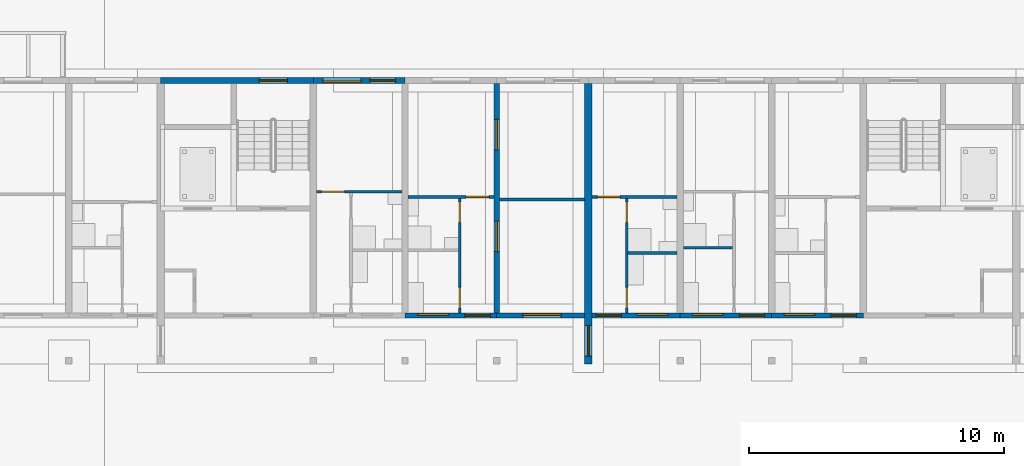
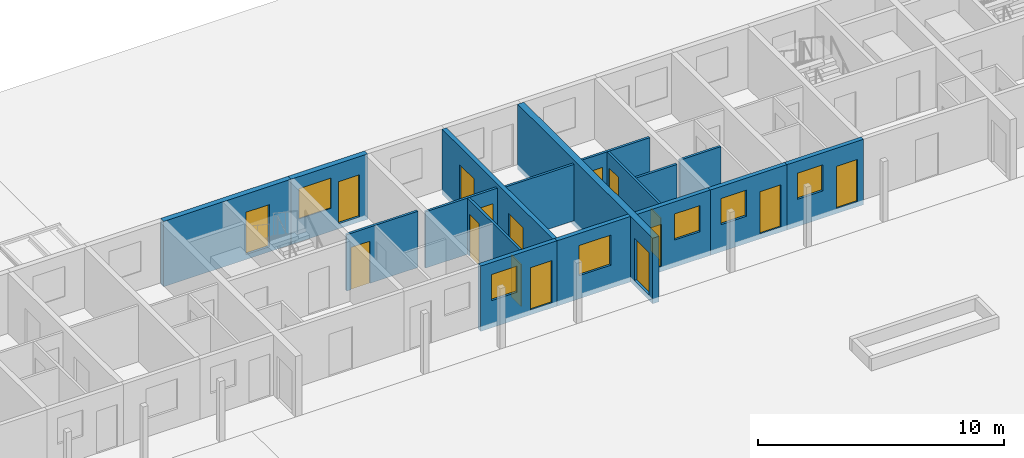
# One storey, part 68 of 112: 17 walls, 16 doors, 6 windows, 22 openings.
"""IFC4 building model written with IfcOpenShell, lengths in metres."""

import ifcopenshell
import ifcopenshell.guid

model = None  # the IFC model being written
_history = None  # IfcOwnerHistory: only IFC2X3 demands one
_inside = {}  # id of a spatial element -> (the spatial element, [elements in it])
_under = {}  # id of a project, library or spatial element -> (it, [spatial elements below it])
_declared = {}  # id of a project -> (the project, [libraries it declares])
_typed = {}  # id of a type object -> (the type object, [elements of that type])
_made_of = {}  # id of a material, layer set ... -> (it, [elements and type objects made of it])


def new_model(schema):
    """Start an empty IFC model of exactly this schema.

    Asked for "IFC4X3", IfcOpenShell would pick the latest addendum, in which some entities
    have other attributes; the version numbers below select the first issue.
    IFC2X3 requires an IfcOwnerHistory on every rooted entity: one is made here for all.
    """
    global model, _history
    if schema == "IFC4X3":
        model = ifcopenshell.file(schema_version=(4, 3, 0, 0))
    else:
        model = ifcopenshell.file(schema=schema)
    _inside.clear()
    _under.clear()
    _declared.clear()
    _typed.clear()
    _made_of.clear()
    _history = None
    if model.schema == "IFC2X3":
        org = make("IfcOrganization", Name="unknown")
        user = make(
            "IfcPersonAndOrganization",
            ThePerson=make("IfcPerson", FamilyName="unknown"),
            TheOrganization=org,
        )
        app = make(
            "IfcApplication",
            ApplicationDeveloper=org,
            Version="unknown",
            ApplicationFullName="unknown",
            ApplicationIdentifier="unknown",
        )
        _history = make(
            "IfcOwnerHistory",
            OwningUser=user,
            OwningApplication=app,
            ChangeAction="ADDED",
            CreationDate=0,
        )
    return model


def make(cls, **values):
    """One entity of the class cls with the attributes given. An attribute that is None is left unset."""
    return model.create_entity(
        cls, **{name: value for name, value in values.items() if value is not None}
    )


def rooted(cls, **values):
    """An entity with a GlobalId (a new one), such as an element, a storey or a relation."""
    return make(cls, GlobalId=ifcopenshell.guid.new(), OwnerHistory=_history, **values)


def si_unit(unit_type, name, prefix=None):
    """IfcSIUnit, for example si_unit("LENGTHUNIT", "METRE", prefix="MILLI")."""
    return make("IfcSIUnit", UnitType=unit_type, Prefix=prefix, Name=name)


def assignment(units):
    """IfcUnitAssignment: the units of a project."""
    return None if units is None else make("IfcUnitAssignment", Units=units)


def point(xyz):
    """IfcCartesianPoint."""
    return None if xyz is None else make("IfcCartesianPoint", Coordinates=xyz)


def direction(xyz):
    """IfcDirection."""
    return None if xyz is None else make("IfcDirection", DirectionRatios=xyz)


def frame(location, z_axis=None, x_axis=None):
    """IfcAxis2Placement3D, a coordinate frame: its origin and axes. An axis left out is left unset."""
    return make(
        "IfcAxis2Placement3D",
        Location=point(location),
        Axis=direction(z_axis),
        RefDirection=direction(x_axis),
    )


def frame_2d(location, x_axis=None):
    """IfcAxis2Placement2D, a coordinate frame in the plane: its origin and x axis."""
    return make(
        "IfcAxis2Placement2D", Location=point(location), RefDirection=direction(x_axis)
    )


def origin():
    """The frame at (0, 0, 0) with its axes left unset."""
    return frame((0.0, 0.0, 0.0))


def place(relative_to, where):
    """IfcLocalPlacement: puts the frame where relative to a parent placement (None: the world)."""
    return make(
        "IfcLocalPlacement", PlacementRelTo=relative_to, RelativePlacement=where
    )


def context(
    kind, dimensions, precision=None, world=None, true_north=None, identifier=None
):
    """IfcGeometricRepresentationContext, for example the 3D "Model" context."""
    return make(
        "IfcGeometricRepresentationContext",
        ContextIdentifier=identifier,
        ContextType=kind,
        CoordinateSpaceDimension=dimensions,
        Precision=precision,
        WorldCoordinateSystem=world,
        TrueNorth=true_north,
    )


def subcontext(parent, identifier, kind, view, scale=None):
    """IfcGeometricRepresentationSubContext, for example "Body" below "Model"."""
    return make(
        "IfcGeometricRepresentationSubContext",
        ContextIdentifier=identifier,
        ContextType=kind,
        ParentContext=parent,
        TargetScale=scale,
        TargetView=view,
    )


def project(units=None, contexts=None):
    """IfcProject with its units and contexts."""
    return rooted(
        "IfcProject",
        Name="project",
        RepresentationContexts=contexts,
        UnitsInContext=assignment(units),
    )


def spatial(cls, under=None, at=None, **own):
    """A site, building, storey or space (cls), placed at a placement, below another one or the project."""
    s = rooted(cls, ObjectPlacement=at, **own)
    if under is not None:
        _under.setdefault(under.id(), (under, []))[1].append(s)
    return s


def profile(cls, at=None, kind="AREA", **sizes):
    """A parametric profile (cls). Its sizes go by their IFC names, for example OverallWidth=200.0."""
    return make(cls, ProfileType=kind, Position=at, **sizes)


def rectangle(**sizes):
    """IfcRectangleProfileDef."""
    return profile("IfcRectangleProfileDef", **sizes)


def extrude(swept, where, along, depth):
    """IfcExtrudedAreaSolid: the profile swept, set in the frame where, extruded along a direction by depth."""
    return make(
        "IfcExtrudedAreaSolid",
        SweptArea=swept,
        Position=where,
        ExtrudedDirection=direction(along),
        Depth=depth,
    )


def shape(context_of_items, identifier, shape_type, items):
    """IfcShapeRepresentation: the items that make up one representation, for example the "Body"."""
    return make(
        "IfcShapeRepresentation",
        ContextOfItems=context_of_items,
        RepresentationIdentifier=identifier,
        RepresentationType=shape_type,
        Items=items,
    )


def material(Name=None, Category=None):
    """IfcMaterial."""
    return make("IfcMaterial", Name=Name, Category=Category)


def layer(
    of_material, thickness, ventilated=None, Name=None, Category=None, Priority=None
):
    """IfcMaterialLayer: one layer of a wall or slab, of a material (None: an air gap)."""
    return make(
        "IfcMaterialLayer",
        Material=of_material,
        LayerThickness=thickness,
        IsVentilated=ventilated,
        Name=Name,
        Category=Category,
        Priority=Priority,
    )


def layer_set(layers, Name=None):
    """IfcMaterialLayerSet."""
    return make("IfcMaterialLayerSet", MaterialLayers=layers, LayerSetName=Name)


def made_of(thing, what):
    """Note that an element or type object is made of a material, layer set ...; save() writes the relation."""
    if what is not None:
        _made_of.setdefault(what.id(), (what, []))[1].append(thing)
    return thing


def type_object(cls, material=None, **own):
    """A type object (cls), such as IfcWallType, which elements share."""
    return made_of(rooted(cls, **own), material)


def element(
    cls,
    number,
    at=None,
    inside=None,
    cuts=None,
    type_object=None,
    material=None,
    context=None,
    identifier="Body",
    shape_type=None,
    held_by="IfcProductDefinitionShape",
    body=None,
    shapes=None,
    **own,
):
    """One element of the class cls, such as IfcWall. Its Tag is "e" and its number.

    at: its placement. inside: the storey or other place that contains it. cuts: it is an
    opening in that element (IfcRelVoidsElement). A single representation is given by context,
    identifier, shape_type and body (its items); several are given by shapes. held_by: the class
    of the entity that holds the representations. save() writes the other relations.
    """
    e = rooted(cls, Tag="e%d" % number, ObjectPlacement=at, **own)
    if body is not None:
        shapes = [shape(context, identifier, shape_type, body)]
    if shapes is not None:
        e.Representation = make(held_by, Representations=shapes)
    if inside is not None:
        _inside.setdefault(inside.id(), (inside, []))[1].append(e)
    if cuts is not None:
        rooted(
            "IfcRelVoidsElement", RelatingBuildingElement=cuts, RelatedOpeningElement=e
        )
    if type_object is not None:
        _typed.setdefault(type_object.id(), (type_object, []))[1].append(e)
    return made_of(e, material)


def fill(opening, filler):
    """IfcRelFillsElement: the door or window that sits in an opening."""
    return rooted(
        "IfcRelFillsElement",
        RelatingOpeningElement=opening,
        RelatedBuildingElement=filler,
    )


def aggregate(whole, parts):
    """IfcRelAggregates: a whole, such as a stair, and the parts it consists of."""
    return rooted("IfcRelAggregates", RelatingObject=whole, RelatedObjects=parts)


def save(model, path):
    """Write the relations noted so far, then the file.

    IfcRelAggregates (storeys below a building ...), IfcRelContainedInSpatialStructure (elements
    in a storey), IfcRelDefinesByType, IfcRelAssociatesMaterial and IfcRelDeclares: one each for
    every whole, place, type object, material and project.
    """
    for whole, parts in _under.values():
        aggregate(whole, parts)
    for where, things in _inside.values():
        rooted(
            "IfcRelContainedInSpatialStructure",
            RelatedElements=things,
            RelatingStructure=where,
        )
    for kind, things in _typed.values():
        rooted("IfcRelDefinesByType", RelatedObjects=things, RelatingType=kind)
    for what, things in _made_of.values():
        rooted("IfcRelAssociatesMaterial", RelatedObjects=things, RelatingMaterial=what)
    for by, libraries in _declared.values():
        rooted("IfcRelDeclares", RelatingContext=by, RelatedDefinitions=libraries)
    model.write(path)


model = new_model("IFC4")

# Units and contexts
model_context = context("Model", 3, precision=1e-05, world=origin(), true_north=direction((0.0, 1.0)))
body_context = subcontext(model_context, "Body", "Model", "MODEL_VIEW")
ifc_project = project(units=[si_unit("LENGTHUNIT", "METRE"), si_unit("AREAUNIT", "SQUARE_METRE"), si_unit("VOLUMEUNIT", "CUBIC_METRE"), si_unit("PLANEANGLEUNIT", "RADIAN"), si_unit("MASSUNIT", "GRAM", prefix="KILO")], contexts=[model_context])

# Site, building, storey
site_placement = place(None, origin())
site = spatial("IfcSite", under=ifc_project, at=site_placement, CompositionType="ELEMENT")
building_placement = place(site_placement, origin())
building = spatial("IfcBuilding", under=site, at=building_placement, Name="Ridgestep Commons", CompositionType="ELEMENT")
storey_placement = place(building_placement, origin())
storey = spatial("IfcBuildingStorey", under=building, at=storey_placement, Name="L00", CompositionType="ELEMENT", Elevation=0.0)

# Wall, openings, doors
ifc_material_1 = material(Name="Precast concrete C40/50", Category="concrete")
ifc_layer_1 = layer(ifc_material_1, 0.199951171875)
ifc_layer_set_1 = layer_set([ifc_layer_1], Name="Cross wall 200")
wall_type_1 = type_object("IfcWallType", Name="Cross wall 200", PredefinedType="SHEAR", material=ifc_layer_set_1)
wall_1_placement = place(storey_placement, frame((210.39990234375, 68.0, -0.25), z_axis=(0.0, 0.0, 1.0), x_axis=(0.0, 1.0, 0.0)))
wall_1 = element("IfcWall", 1, at=wall_1_placement, inside=storey, type_object=wall_type_1, Name="Cross wall C-00-2104", PredefinedType="SHEAR", context=body_context, shape_type="SweptSolid", body=[
    extrude(rectangle(XDim=9.0, YDim=0.199951171875, at=frame_2d((4.5, 0.0))), origin(), (0.0, 0.0, 1.0), 3.25),
])
opening_1_placement = place(wall_1_placement, frame((2.39990234375, 0.0, 0.25)))
opening_1 = element("IfcOpeningElement", 2, at=opening_1_placement, cuts=wall_1, Name="Opening C4-00a/5", PredefinedType="OPENING", context=body_context, shape_type="SweptSolid", body=[
    extrude(rectangle(XDim=1.199951171875, YDim=2.10009765625, at=frame_2d((0.60009765625, 1.050048828125))), frame((0.0, 0.10986328125, 0.0), z_axis=(0.0, -1.0, 0.0), x_axis=(1.0, 0.0, 0.0)), (0.0, 0.0, 1.0), 0.219970703125),
])
opening_2_placement = place(wall_1_placement, frame((6.39990234375, 0.0, 0.25)))
opening_2 = element("IfcOpeningElement", 3, at=opening_2_placement, cuts=wall_1, Name="Opening C4-00a/6", PredefinedType="OPENING", context=body_context, shape_type="SweptSolid", body=[
    extrude(rectangle(XDim=1.199951171875, YDim=2.10009765625, at=frame_2d((0.60009765625, 1.050048828125))), frame((0.0, 0.10986328125, 0.0), z_axis=(0.0, -1.0, 0.0), x_axis=(1.0, 0.0, 0.0)), (0.0, 0.0, 1.0), 0.219970703125),
])
ifc_material_2 = material(Name="Timber door leaf", Category="wood")
door_type_1 = type_object("IfcDoorType", Name="Double door 1200 x 2100", OperationType="DOUBLE_DOOR_SINGLE_SWING", PredefinedType="DOOR", material=ifc_material_2)
door_1_placement = place(opening_1_placement, origin())
door_1 = element("IfcDoor", 4, at=door_1_placement, inside=storey, type_object=door_type_1, Name="Double door C4-00a/5", OperationType="DOUBLE_DOOR_SINGLE_SWING", OverallHeight=2.10009765625, OverallWidth=1.199951171875, PredefinedType="DOOR", context=body_context, shape_type="SweptSolid", body=[
    extrude(rectangle(XDim=1.199951171875, YDim=2.10009765625, at=frame_2d((0.60009765625, 1.050048828125))), frame((0.0, 0.02490234375, 0.0), z_axis=(0.0, -1.0, 0.0), x_axis=(1.0, 0.0, 0.0)), (0.0, 0.0, 1.0), 0.050048828125),
])
fill(opening_1, door_1)
door_2_placement = place(opening_2_placement, origin())
door_2 = element("IfcDoor", 5, at=door_2_placement, inside=storey, type_object=door_type_1, Name="Double door C4-00a/6", OperationType="DOUBLE_DOOR_SINGLE_SWING", OverallHeight=2.10009765625, OverallWidth=1.199951171875, PredefinedType="DOOR", context=body_context, shape_type="SweptSolid", body=[
    extrude(rectangle(XDim=1.199951171875, YDim=2.10009765625, at=frame_2d((0.60009765625, 1.050048828125))), frame((0.0, 0.02490234375, 0.0), z_axis=(0.0, -1.0, 0.0), x_axis=(1.0, 0.0, 0.0)), (0.0, 0.0, 1.0), 0.050048828125),
])
fill(opening_2, door_2)

# Wall, opening, door
ifc_material_3 = material(Name="Precast concrete C40/50", Category="concrete")
ifc_layer_2 = layer(ifc_material_3, 0.300048828125)
ifc_layer_set_2 = layer_set([ifc_layer_2], Name="Division wall 300")
wall_type_2 = type_object("IfcWallType", Name="Division wall 300", PredefinedType="SHEAR", material=ifc_layer_set_2)
wall_2_placement = place(storey_placement, frame((214.0, 66.0, -0.25), z_axis=(0.0, 0.0, 1.0), x_axis=(0.0, 1.0, 0.0)))
wall_2 = element("IfcWall", 6, at=wall_2_placement, inside=storey, type_object=wall_type_2, Name="Cross wall C-00-2140", PredefinedType="SHEAR", context=body_context, shape_type="SweptSolid", body=[
    extrude(rectangle(XDim=11.0, YDim=0.300048828125, at=frame_2d((5.5, 0.0))), origin(), (0.0, 0.0, 1.0), 3.25),
])
opening_3_placement = place(wall_2_placement, frame((0.300048828125, 0.0, 0.25)))
opening_3 = element("IfcOpeningElement", 7, at=opening_3_placement, cuts=wall_2, Name="Opening C/00/G2140", PredefinedType="OPENING", context=body_context, shape_type="SweptSolid", body=[
    extrude(rectangle(XDim=1.199951171875, YDim=2.10009765625, at=frame_2d((0.60009765625, 1.050048828125))), frame((0.0, 0.159912109375, 0.0), z_axis=(0.0, -1.0, 0.0), x_axis=(1.0, 0.0, 0.0)), (0.0, 0.0, 1.0), 0.320068359375),
])
ifc_material_4 = material(Name="Steel fire door", Category="steel")
door_type_2 = type_object("IfcDoorType", Name="Division fire door 1200 x 2100 EI 240", OperationType="DOUBLE_DOOR_SINGLE_SWING", PredefinedType="DOOR", material=ifc_material_4)
door_3_placement = place(opening_3_placement, origin())
door_3 = element("IfcDoor", 8, at=door_3_placement, inside=storey, type_object=door_type_2, Name="Division fire door C/00/G2140", OperationType="DOUBLE_DOOR_SINGLE_SWING", OverallHeight=2.10009765625, OverallWidth=1.199951171875, PredefinedType="DOOR", context=body_context, shape_type="SweptSolid", body=[
    extrude(rectangle(XDim=1.199951171875, YDim=2.10009765625, at=frame_2d((0.60009765625, 1.050048828125))), frame((0.0, 0.02490234375, 0.0), z_axis=(0.0, -1.0, 0.0), x_axis=(1.0, 0.0, 0.0)), (0.0, 0.0, 1.0), 0.050048828125),
])
fill(opening_3, door_3)

ifc_material_5 = material(Name="Precast concrete C40/50", Category="concrete")
ifc_layer_3 = layer(ifc_material_5, 0.25)
ifc_layer_set_3 = layer_set([ifc_layer_3], Name="North facade panel 250")
wall_type_3 = type_object("IfcWallType", Name="North facade panel 250", PredefinedType="SOLIDWALL", material=ifc_layer_set_3)
wall_3_placement = place(storey_placement, frame((197.199951171875, 77.125, -0.25), z_axis=(0.0, 0.0, 1.0), x_axis=(1.0, 0.0, 0.0)))
wall_3 = element("IfcWall", 9, at=wall_3_placement, inside=storey, type_object=wall_type_3, Name="North panel C4C L00", PredefinedType="SOLIDWALL", context=body_context, shape_type="SweptSolid", body=[
    extrude(rectangle(XDim=6.0, YDim=0.25, at=frame_2d((3.0, 0.0))), origin(), (0.0, 0.0, 1.0), 3.25),
])
opening_4_placement = place(wall_3_placement, frame((3.875, 0.0, 0.25)))
opening_4 = element("IfcOpeningElement", 10, at=opening_4_placement, cuts=wall_3, Name="Opening C4C/00/5", PredefinedType="OPENING", context=body_context, shape_type="SweptSolid", body=[
    extrude(rectangle(XDim=1.10009765625, YDim=2.10009765625, at=frame_2d((0.550048828125, 1.050048828125))), frame((0.0, 0.135009765625, 0.0), z_axis=(0.0, -1.0, 0.0), x_axis=(1.0, 0.0, 0.0)), (0.0, 0.0, 1.0), 0.27001953125),
])
ifc_material_6 = material(Name="Steel fire door", Category="steel")
door_type_3 = type_object("IfcDoorType", Name="Stair exit door 1100 x 2100 FD60", OperationType="NOTDEFINED", PredefinedType="DOOR", material=ifc_material_6)
door_4_placement = place(opening_4_placement, origin())
door_4 = element("IfcDoor", 11, at=door_4_placement, inside=storey, type_object=door_type_3, Name="Stair exit door C4C/00/5", OperationType="SINGLE_SWING_LEFT", OverallHeight=2.10009765625, OverallWidth=1.10009765625, PredefinedType="DOOR", context=body_context, shape_type="SweptSolid", body=[
    extrude(rectangle(XDim=1.10009765625, YDim=2.10009765625, at=frame_2d((0.550048828125, 1.050048828125))), frame((0.0, 0.02490234375, 0.0), z_axis=(0.0, -1.0, 0.0), x_axis=(1.0, 0.0, 0.0)), (0.0, 0.0, 1.0), 0.050048828125),
])
fill(opening_4, door_4)

# Wall, openings, door, window
wall_4_placement = place(storey_placement, frame((203.199951171875, 77.125, -0.25), z_axis=(0.0, 0.0, 1.0), x_axis=(1.0, 0.0, 0.0)))
wall_4 = element("IfcWall", 12, at=wall_4_placement, inside=storey, type_object=wall_type_3, Name="North panel C4T3 L00", PredefinedType="SOLIDWALL", context=body_context, shape_type="SweptSolid", body=[
    extrude(rectangle(XDim=3.60009765625, YDim=0.25, at=frame_2d((1.800048828125, 0.0))), origin(), (0.0, 0.0, 1.0), 3.25),
])
opening_5_placement = place(wall_4_placement, frame((0.37158203125, 0.0, 1.14990234375)))
opening_5 = element("IfcOpeningElement", 13, at=opening_5_placement, cuts=wall_4, Name="Opening W16", PredefinedType="OPENING", context=body_context, shape_type="SweptSolid", body=[
    extrude(rectangle(XDim=1.5, YDim=1.5, at=frame_2d((0.75, 0.75))), frame((0.0, 0.135009765625, 0.0), z_axis=(0.0, -1.0, 0.0), x_axis=(1.0, 0.0, 0.0)), (0.0, 0.0, 1.0), 0.27001953125),
])
opening_6_placement = place(wall_4_placement, frame((2.218017578125, 0.0, 0.25)))
opening_6 = element("IfcOpeningElement", 14, at=opening_6_placement, cuts=wall_4, Name="Opening C4-00b/5", PredefinedType="OPENING", context=body_context, shape_type="SweptSolid", body=[
    extrude(rectangle(XDim=1.0, YDim=2.10009765625, at=frame_2d((0.5, 1.050048828125))), frame((0.0, 0.135009765625, 0.0), z_axis=(0.0, -1.0, 0.0), x_axis=(1.0, 0.0, 0.0)), (0.0, 0.0, 1.0), 0.27001953125),
])
ifc_material_7 = material(Name="Aluminium and glass", Category="aluminium")
door_type_4 = type_object("IfcDoorType", Name="Balcony door 1000 x 2100", OperationType="NOTDEFINED", PredefinedType="DOOR", material=ifc_material_7)
door_5_placement = place(opening_6_placement, origin())
door_5 = element("IfcDoor", 15, at=door_5_placement, inside=storey, type_object=door_type_4, Name="Balcony door C4-00b/5", OperationType="SINGLE_SWING_LEFT", OverallHeight=2.10009765625, OverallWidth=1.0, PredefinedType="DOOR", context=body_context, shape_type="SweptSolid", body=[
    extrude(rectangle(XDim=1.0, YDim=2.10009765625, at=frame_2d((0.5, 1.050048828125))), frame((0.0, 0.02490234375, 0.0), z_axis=(0.0, -1.0, 0.0), x_axis=(1.0, 0.0, 0.0)), (0.0, 0.0, 1.0), 0.050048828125),
])
fill(opening_6, door_5)
ifc_material_8 = material(Name="Aluminium 6063-T6 and glass", Category="aluminium")
window_type_1 = type_object("IfcWindowType", Name="Flat window 1500 x 1500", PartitioningType="DOUBLE_PANEL_VERTICAL", PredefinedType="WINDOW", material=ifc_material_8)
window_1_placement = place(opening_5_placement, origin())
window_1 = element("IfcWindow", 16, at=window_1_placement, inside=storey, type_object=window_type_1, Name="Window C4-00b 2", OverallHeight=1.5, OverallWidth=1.5, PartitioningType="SINGLE_PANEL", PredefinedType="WINDOW", context=body_context, shape_type="SweptSolid", body=[
    extrude(rectangle(XDim=1.5, YDim=1.5, at=frame_2d((0.75, 0.75))), frame((0.0, -0.02490234375, 0.0), z_axis=(0.0, -1.0, 0.0), x_axis=(1.0, 0.0, 0.0)), (0.0, 0.0, 1.0), 0.06005859375),
])
fill(opening_5, window_1)

# Wall, openings, doors
ifc_material_9 = material(Name="Common brick 110 mm", Category="masonry")
ifc_layer_4 = layer(ifc_material_9, 0.110107421875)
ifc_layer_set_4 = layer_set([ifc_layer_4], Name="Partition 110")
wall_type_4 = type_object("IfcWallType", Name="Partition 110", PredefinedType="PARTITIONING", material=ifc_layer_set_4)
wall_5_placement = place(storey_placement, frame((208.945068359375, 68.0, 0.0), z_axis=(0.0, 0.0, 1.0), x_axis=(0.0, 1.0, 0.0)))
wall_5 = element("IfcWall", 17, at=wall_5_placement, inside=storey, type_object=wall_type_4, Name="Partition C4-00a", PredefinedType="PARTITIONING", context=body_context, shape_type="SweptSolid", body=[
    extrude(rectangle(XDim=4.5, YDim=0.110107421875, at=frame_2d((2.25, 0.0))), origin(), (0.0, 0.0, 1.0), 2.800048828125),
])
opening_7_placement = place(wall_5_placement, frame((0.199951171875, 0.0, 0.0)))
opening_7 = element("IfcOpeningElement", 18, at=opening_7_placement, cuts=wall_5, Name="Opening C4-00a/2", PredefinedType="OPENING", context=body_context, shape_type="SweptSolid", body=[
    extrude(rectangle(XDim=0.800048828125, YDim=2.10009765625, at=frame_2d((0.39990234375, 1.050048828125))), frame((0.0, 0.06494140625, 0.0), z_axis=(0.0, -1.0, 0.0), x_axis=(1.0, 0.0, 0.0)), (0.0, 0.0, 1.0), 0.130126953125),
])
opening_8_placement = place(wall_5_placement, frame((3.550048828125, 0.0, 0.0)))
opening_8 = element("IfcOpeningElement", 19, at=opening_8_placement, cuts=wall_5, Name="Opening C4-00a/3", PredefinedType="OPENING", context=body_context, shape_type="SweptSolid", body=[
    extrude(rectangle(XDim=0.800048828125, YDim=2.10009765625, at=frame_2d((0.39990234375, 1.050048828125))), frame((0.0, 0.06494140625, 0.0), z_axis=(0.0, -1.0, 0.0), x_axis=(1.0, 0.0, 0.0)), (0.0, 0.0, 1.0), 0.130126953125),
])
ifc_material_10 = material(Name="Timber door leaf", Category="wood")
door_type_5 = type_object("IfcDoorType", Name="Internal door 800 x 2100", OperationType="NOTDEFINED", PredefinedType="DOOR", material=ifc_material_10)
door_6_placement = place(opening_7_placement, origin())
door_6 = element("IfcDoor", 20, at=door_6_placement, inside=storey, type_object=door_type_5, Name="Internal door C4-00a/2", OperationType="SINGLE_SWING_LEFT", OverallHeight=2.10009765625, OverallWidth=0.800048828125, PredefinedType="DOOR", context=body_context, shape_type="SweptSolid", body=[
    extrude(rectangle(XDim=0.800048828125, YDim=2.10009765625, at=frame_2d((0.39990234375, 1.050048828125))), frame((0.0, 0.02490234375, 0.0), z_axis=(0.0, -1.0, 0.0), x_axis=(1.0, 0.0, 0.0)), (0.0, 0.0, 1.0), 0.050048828125),
])
fill(opening_7, door_6)
door_7_placement = place(opening_8_placement, origin())
door_7 = element("IfcDoor", 21, at=door_7_placement, inside=storey, type_object=door_type_5, Name="Internal door C4-00a/3", OperationType="SINGLE_SWING_RIGHT", OverallHeight=2.10009765625, OverallWidth=0.800048828125, PredefinedType="DOOR", context=body_context, shape_type="SweptSolid", body=[
    extrude(rectangle(XDim=0.800048828125, YDim=2.10009765625, at=frame_2d((0.39990234375, 1.050048828125))), frame((0.0, 0.02490234375, 0.0), z_axis=(0.0, -1.0, 0.0), x_axis=(1.0, 0.0, 0.0)), (0.0, 0.0, 1.0), 0.050048828125),
])
fill(opening_8, door_7)

# Wall, opening, door
wall_6_placement = place(storey_placement, frame((206.925048828125, 72.554931640625, 0.0), z_axis=(0.0, 0.0, 1.0), x_axis=(1.0, 0.0, 0.0)))
wall_6 = element("IfcWall", 22, at=wall_6_placement, inside=storey, type_object=wall_type_4, Name="Partition C4-00a", PredefinedType="PARTITIONING", context=body_context, shape_type="SweptSolid", body=[
    extrude(rectangle(XDim=3.375, YDim=0.110107421875, at=frame_2d((1.6875, 0.0))), origin(), (0.0, 0.0, 1.0), 2.800048828125),
])
opening_9_placement = place(wall_6_placement, frame((2.27490234375, 0.0, 0.0)))
opening_9 = element("IfcOpeningElement", 23, at=opening_9_placement, cuts=wall_6, Name="Opening C4-00a/4", PredefinedType="OPENING", context=body_context, shape_type="SweptSolid", body=[
    extrude(rectangle(XDim=0.89990234375, YDim=2.10009765625, at=frame_2d((0.449951171875, 1.050048828125))), frame((0.0, 0.06494140625, 0.0), z_axis=(0.0, -1.0, 0.0), x_axis=(1.0, 0.0, 0.0)), (0.0, 0.0, 1.0), 0.130126953125),
])
ifc_material_11 = material(Name="Timber door leaf", Category="wood")
door_type_6 = type_object("IfcDoorType", Name="Internal door 900 x 2100", OperationType="NOTDEFINED", PredefinedType="DOOR", material=ifc_material_11)
door_8_placement = place(opening_9_placement, origin())
door_8 = element("IfcDoor", 24, at=door_8_placement, inside=storey, type_object=door_type_6, Name="Internal door C4-00a/4", OperationType="SINGLE_SWING_LEFT", OverallHeight=2.10009765625, OverallWidth=0.89990234375, PredefinedType="DOOR", context=body_context, shape_type="SweptSolid", body=[
    extrude(rectangle(XDim=0.89990234375, YDim=2.10009765625, at=frame_2d((0.449951171875, 1.050048828125))), frame((0.0, 0.02490234375, 0.0), z_axis=(0.0, -1.0, 0.0), x_axis=(1.0, 0.0, 0.0)), (0.0, 0.0, 1.0), 0.050048828125),
])
fill(opening_9, door_8)

# Wall
wall_7_placement = place(storey_placement, frame((210.5, 72.455078125, 0.0), z_axis=(0.0, 0.0, 1.0), x_axis=(1.0, 0.0, 0.0)))
element("IfcWall", 25, at=wall_7_placement, inside=storey, type_object=wall_type_4, Name="Partition C4-00a", PredefinedType="PARTITIONING", context=body_context, shape_type="SweptSolid", body=[
    extrude(rectangle(XDim=3.35009765625, YDim=0.110107421875, at=frame_2d((1.675048828125, 0.0))), origin(), (0.0, 0.0, 1.0), 2.800048828125),
])

# Wall, opening, door
wall_8_placement = place(storey_placement, frame((203.324951171875, 72.7548828125, 0.0), z_axis=(0.0, 0.0, 1.0), x_axis=(1.0, 0.0, 0.0)))
wall_8 = element("IfcWall", 26, at=wall_8_placement, inside=storey, type_object=wall_type_4, Name="Partition C4-00b", PredefinedType="PARTITIONING", context=body_context, shape_type="SweptSolid", body=[
    extrude(rectangle(XDim=3.35009765625, YDim=0.110107421875, at=frame_2d((1.675048828125, 0.0))), origin(), (0.0, 0.0, 1.0), 2.800048828125),
])
opening_10_placement = place(wall_8_placement, frame((0.199951171875, 0.0, 0.0)))
opening_10 = element("IfcOpeningElement", 27, at=opening_10_placement, cuts=wall_8, Name="Opening C4-00b/4", PredefinedType="OPENING", context=body_context, shape_type="SweptSolid", body=[
    extrude(rectangle(XDim=0.89990234375, YDim=2.10009765625, at=frame_2d((0.449951171875, 1.050048828125))), frame((0.0, 0.06494140625, 0.0), z_axis=(0.0, -1.0, 0.0), x_axis=(1.0, 0.0, 0.0)), (0.0, 0.0, 1.0), 0.130126953125),
])
door_9_placement = place(opening_10_placement, origin())
door_9 = element("IfcDoor", 28, at=door_9_placement, inside=storey, type_object=door_type_6, Name="Internal door C4-00b/4", OperationType="SINGLE_SWING_LEFT", OverallHeight=2.10009765625, OverallWidth=0.89990234375, PredefinedType="DOOR", context=body_context, shape_type="SweptSolid", body=[
    extrude(rectangle(XDim=0.89990234375, YDim=2.10009765625, at=frame_2d((0.449951171875, 1.050048828125))), frame((0.0, 0.02490234375, 0.0), z_axis=(0.0, -1.0, 0.0), x_axis=(1.0, 0.0, 0.0)), (0.0, 0.0, 1.0), 0.050048828125),
])
fill(opening_10, door_9)

# Wall, openings, doors
wall_9_placement = place(storey_placement, frame((215.5048828125, 68.0, 0.0), z_axis=(0.0, 0.0, 1.0), x_axis=(0.0, 1.0, 0.0)))
wall_9 = element("IfcWall", 29, at=wall_9_placement, inside=storey, type_object=wall_type_4, Name="Partition C5-00a", PredefinedType="PARTITIONING", context=body_context, shape_type="SweptSolid", body=[
    extrude(rectangle(XDim=4.5, YDim=0.110107421875, at=frame_2d((2.25, 0.0))), origin(), (0.0, 0.0, 1.0), 2.800048828125),
])
opening_11_placement = place(wall_9_placement, frame((0.199951171875, 0.0, 0.0)))
opening_11 = element("IfcOpeningElement", 30, at=opening_11_placement, cuts=wall_9, Name="Opening C5-00a/2", PredefinedType="OPENING", context=body_context, shape_type="SweptSolid", body=[
    extrude(rectangle(XDim=0.800048828125, YDim=2.10009765625, at=frame_2d((0.39990234375, 1.050048828125))), frame((0.0, 0.06494140625, 0.0), z_axis=(0.0, -1.0, 0.0), x_axis=(1.0, 0.0, 0.0)), (0.0, 0.0, 1.0), 0.130126953125),
])
opening_12_placement = place(wall_9_placement, frame((3.550048828125, 0.0, 0.0)))
opening_12 = element("IfcOpeningElement", 31, at=opening_12_placement, cuts=wall_9, Name="Opening C5-00a/3", PredefinedType="OPENING", context=body_context, shape_type="SweptSolid", body=[
    extrude(rectangle(XDim=0.800048828125, YDim=2.10009765625, at=frame_2d((0.39990234375, 1.050048828125))), frame((0.0, 0.06494140625, 0.0), z_axis=(0.0, -1.0, 0.0), x_axis=(1.0, 0.0, 0.0)), (0.0, 0.0, 1.0), 0.130126953125),
])
door_10_placement = place(opening_11_placement, origin())
door_10 = element("IfcDoor", 32, at=door_10_placement, inside=storey, type_object=door_type_5, Name="Internal door C5-00a/2", OperationType="SINGLE_SWING_RIGHT", OverallHeight=2.10009765625, OverallWidth=0.800048828125, PredefinedType="DOOR", context=body_context, shape_type="SweptSolid", body=[
    extrude(rectangle(XDim=0.800048828125, YDim=2.10009765625, at=frame_2d((0.39990234375, 1.050048828125))), frame((0.0, 0.02490234375, 0.0), z_axis=(0.0, -1.0, 0.0), x_axis=(1.0, 0.0, 0.0)), (0.0, 0.0, 1.0), 0.050048828125),
])
fill(opening_11, door_10)
door_11_placement = place(opening_12_placement, origin())
door_11 = element("IfcDoor", 33, at=door_11_placement, inside=storey, type_object=door_type_5, Name="Internal door C5-00a/3", OperationType="SINGLE_SWING_LEFT", OverallHeight=2.10009765625, OverallWidth=0.800048828125, PredefinedType="DOOR", context=body_context, shape_type="SweptSolid", body=[
    extrude(rectangle(XDim=0.800048828125, YDim=2.10009765625, at=frame_2d((0.39990234375, 1.050048828125))), frame((0.0, 0.02490234375, 0.0), z_axis=(0.0, -1.0, 0.0), x_axis=(1.0, 0.0, 0.0)), (0.0, 0.0, 1.0), 0.050048828125),
])
fill(opening_12, door_11)

# Wall
wall_10_placement = place(storey_placement, frame((215.56005859375, 70.35498046875, 0.0), z_axis=(0.0, 0.0, 1.0), x_axis=(1.0, 0.0, 0.0)))
element("IfcWall", 34, at=wall_10_placement, inside=storey, type_object=wall_type_4, Name="Partition C5-00a", PredefinedType="PARTITIONING", context=body_context, shape_type="SweptSolid", body=[
    extrude(rectangle(XDim=1.9150390625, YDim=0.110107421875, at=frame_2d((0.95751953125, 0.0))), origin(), (0.0, 0.0, 1.0), 2.800048828125),
])

# Wall, opening, door
wall_11_placement = place(storey_placement, frame((214.14990234375, 72.554931640625, 0.0), z_axis=(0.0, 0.0, 1.0), x_axis=(1.0, 0.0, 0.0)))
wall_11 = element("IfcWall", 35, at=wall_11_placement, inside=storey, type_object=wall_type_4, Name="Partition C5-00a", PredefinedType="PARTITIONING", context=body_context, shape_type="SweptSolid", body=[
    extrude(rectangle(XDim=3.3251953125, YDim=0.110107421875, at=frame_2d((1.66259765625, 0.0))), origin(), (0.0, 0.0, 1.0), 2.800048828125),
])
opening_13_placement = place(wall_11_placement, frame((0.199951171875, 0.0, 0.0)))
opening_13 = element("IfcOpeningElement", 36, at=opening_13_placement, cuts=wall_11, Name="Opening C5-00a/4", PredefinedType="OPENING", context=body_context, shape_type="SweptSolid", body=[
    extrude(rectangle(XDim=0.89990234375, YDim=2.10009765625, at=frame_2d((0.449951171875, 1.050048828125))), frame((0.0, 0.06494140625, 0.0), z_axis=(0.0, -1.0, 0.0), x_axis=(1.0, 0.0, 0.0)), (0.0, 0.0, 1.0), 0.130126953125),
])
door_12_placement = place(opening_13_placement, origin())
door_12 = element("IfcDoor", 37, at=door_12_placement, inside=storey, type_object=door_type_6, Name="Internal door C5-00a/4", OperationType="SINGLE_SWING_LEFT", OverallHeight=2.10009765625, OverallWidth=0.89990234375, PredefinedType="DOOR", context=body_context, shape_type="SweptSolid", body=[
    extrude(rectangle(XDim=0.89990234375, YDim=2.10009765625, at=frame_2d((0.449951171875, 1.050048828125))), frame((0.0, 0.02490234375, 0.0), z_axis=(0.0, -1.0, 0.0), x_axis=(1.0, 0.0, 0.0)), (0.0, 0.0, 1.0), 0.050048828125),
])
fill(opening_13, door_12)

# Wall
wall_12_placement = place(storey_placement, frame((217.72509765625, 70.554931640625, 0.0), z_axis=(0.0, 0.0, 1.0), x_axis=(1.0, 0.0, 0.0)))
element("IfcWall", 38, at=wall_12_placement, inside=storey, type_object=wall_type_4, Name="Partition C5-00b", PredefinedType="PARTITIONING", context=body_context, shape_type="SweptSolid", body=[
    extrude(rectangle(XDim=1.93994140625, YDim=0.110107421875, at=frame_2d((0.969970703125, 0.0))), origin(), (0.0, 0.0, 1.0), 2.800048828125),
])

# Wall, openings, door, window
ifc_material_12 = material(Name="Precast concrete C40/50", Category="concrete")
ifc_layer_5 = layer(ifc_material_12, 0.199951171875)
ifc_layer_set_5 = layer_set([ifc_layer_5], Name="South facade panel 200")
wall_type_5 = type_object("IfcWallType", Name="South facade panel 200", PredefinedType="SOLIDWALL", material=ifc_layer_set_5)
wall_13_placement = place(storey_placement, frame((206.800048828125, 67.89990234375, -0.25), z_axis=(0.0, 0.0, 1.0), x_axis=(1.0, 0.0, 0.0)))
wall_13 = element("IfcWall", 39, at=wall_13_placement, inside=storey, type_object=wall_type_5, Name="South panel C4T2 L00", PredefinedType="SOLIDWALL", context=body_context, shape_type="SweptSolid", body=[
    extrude(rectangle(XDim=3.599853515625, YDim=0.199951171875, at=frame_2d((1.7998046875, 0.0))), origin(), (0.0, 0.0, 1.0), 3.25),
])
opening_14_placement = place(wall_13_placement, frame((0.507568359375, 0.0, 1.35009765625)))
opening_14 = element("IfcOpeningElement", 40, at=opening_14_placement, cuts=wall_13, Name="Opening W08", PredefinedType="OPENING", context=body_context, shape_type="SweptSolid", body=[
    extrude(rectangle(XDim=1.199951171875, YDim=1.300048828125, at=frame_2d((0.60009765625, 0.64990234375))), frame((0.0, 0.10986328125, 0.0), z_axis=(0.0, -1.0, 0.0), x_axis=(1.0, 0.0, 0.0)), (0.0, 0.0, 1.0), 0.219970703125),
])
opening_15_placement = place(wall_13_placement, frame((2.35009765625, 0.0, 0.25)))
opening_15 = element("IfcOpeningElement", 41, at=opening_15_placement, cuts=wall_13, Name="Opening C4-00a/1", PredefinedType="OPENING", context=body_context, shape_type="SweptSolid", body=[
    extrude(rectangle(XDim=1.0, YDim=2.10009765625, at=frame_2d((0.5, 1.050048828125))), frame((0.0, 0.10986328125, 0.0), z_axis=(0.0, -1.0, 0.0), x_axis=(1.0, 0.0, 0.0)), (0.0, 0.0, 1.0), 0.219970703125),
])
ifc_material_13 = material(Name="Timber door leaf", Category="wood")
door_type_7 = type_object("IfcDoorType", Name="Flat entrance door 1000 x 2100 FD30S", OperationType="NOTDEFINED", PredefinedType="DOOR", material=ifc_material_13)
door_13_placement = place(opening_15_placement, origin())
door_13 = element("IfcDoor", 42, at=door_13_placement, inside=storey, type_object=door_type_7, Name="Flat entrance door C4-00a/1", OperationType="SINGLE_SWING_RIGHT", OverallHeight=2.10009765625, OverallWidth=1.0, PredefinedType="DOOR", context=body_context, shape_type="SweptSolid", body=[
    extrude(rectangle(XDim=1.0, YDim=2.10009765625, at=frame_2d((0.5, 1.050048828125))), frame((0.0, 0.02490234375, 0.0), z_axis=(0.0, -1.0, 0.0), x_axis=(1.0, 0.0, 0.0)), (0.0, 0.0, 1.0), 0.050048828125),
])
fill(opening_15, door_13)
ifc_material_14 = material(Name="Aluminium 6063-T6 and glass", Category="aluminium")
window_type_2 = type_object("IfcWindowType", Name="Flat window 1200 x 1300", PartitioningType="SINGLE_PANEL", PredefinedType="WINDOW", material=ifc_material_14)
window_2_placement = place(opening_14_placement, origin())
window_2 = element("IfcWindow", 43, at=window_2_placement, inside=storey, type_object=window_type_2, Name="Window C4-00a 3", OverallHeight=1.300048828125, OverallWidth=1.199951171875, PartitioningType="SINGLE_PANEL", PredefinedType="WINDOW", context=body_context, shape_type="SweptSolid", body=[
    extrude(rectangle(XDim=1.199951171875, YDim=1.300048828125, at=frame_2d((0.60009765625, 0.64990234375))), frame((0.0, 0.06005859375, 0.0), z_axis=(0.0, -1.0, 0.0), x_axis=(1.0, 0.0, 0.0)), (0.0, 0.0, 1.0), 0.06005859375),
])
fill(opening_14, window_2)

# Wall, opening, window
wall_14_placement = place(storey_placement, frame((210.39990234375, 67.89990234375, -0.25), z_axis=(0.0, 0.0, 1.0), x_axis=(1.0, 0.0, 0.0)))
wall_14 = element("IfcWall", 44, at=wall_14_placement, inside=storey, type_object=wall_type_5, Name="South panel C4T1 L00", PredefinedType="SOLIDWALL", context=body_context, shape_type="SweptSolid", body=[
    extrude(rectangle(XDim=3.4501953125, YDim=0.199951171875, at=frame_2d((1.72509765625, 0.0))), origin(), (0.0, 0.0, 1.0), 3.25),
])
opening_16_placement = place(wall_14_placement, frame((1.02490234375, 0.0, 1.14990234375)))
opening_16 = element("IfcOpeningElement", 45, at=opening_16_placement, cuts=wall_14, Name="Opening W16", PredefinedType="OPENING", context=body_context, shape_type="SweptSolid", body=[
    extrude(rectangle(XDim=1.5, YDim=1.5, at=frame_2d((0.75, 0.75))), frame((0.0, 0.10986328125, 0.0), z_axis=(0.0, -1.0, 0.0), x_axis=(1.0, 0.0, 0.0)), (0.0, 0.0, 1.0), 0.219970703125),
])
window_3_placement = place(opening_16_placement, origin())
window_3 = element("IfcWindow", 46, at=window_3_placement, inside=storey, type_object=window_type_1, Name="Window C4-00a 1", OverallHeight=1.5, OverallWidth=1.5, PartitioningType="SINGLE_PANEL", PredefinedType="WINDOW", context=body_context, shape_type="SweptSolid", body=[
    extrude(rectangle(XDim=1.5, YDim=1.5, at=frame_2d((0.75, 0.75))), frame((0.0, 0.06005859375, 0.0), z_axis=(0.0, -1.0, 0.0), x_axis=(1.0, 0.0, 0.0)), (0.0, 0.0, 1.0), 0.06005859375),
])
fill(opening_16, window_3)

# Wall, openings, door, window
wall_15_placement = place(storey_placement, frame((214.14990234375, 67.89990234375, -0.25), z_axis=(0.0, 0.0, 1.0), x_axis=(1.0, 0.0, 0.0)))
wall_15 = element("IfcWall", 47, at=wall_15_placement, inside=storey, type_object=wall_type_5, Name="South panel C5T1 L00", PredefinedType="SOLIDWALL", context=body_context, shape_type="SweptSolid", body=[
    extrude(rectangle(XDim=3.4501953125, YDim=0.199951171875, at=frame_2d((1.72509765625, 0.0))), origin(), (0.0, 0.0, 1.0), 3.25),
])
opening_17_placement = place(wall_15_placement, frame((1.767578125, 0.0, 1.35009765625)))
opening_17 = element("IfcOpeningElement", 48, at=opening_17_placement, cuts=wall_15, Name="Opening W08", PredefinedType="OPENING", context=body_context, shape_type="SweptSolid", body=[
    extrude(rectangle(XDim=1.199951171875, YDim=1.300048828125, at=frame_2d((0.60009765625, 0.64990234375))), frame((0.0, 0.10986328125, 0.0), z_axis=(0.0, -1.0, 0.0), x_axis=(1.0, 0.0, 0.0)), (0.0, 0.0, 1.0), 0.219970703125),
])
opening_18_placement = place(wall_15_placement, frame((0.14990234375, 0.0, 0.25)))
opening_18 = element("IfcOpeningElement", 49, at=opening_18_placement, cuts=wall_15, Name="Opening C5-00a/1", PredefinedType="OPENING", context=body_context, shape_type="SweptSolid", body=[
    extrude(rectangle(XDim=1.0, YDim=2.10009765625, at=frame_2d((0.5, 1.050048828125))), frame((0.0, 0.10986328125, 0.0), z_axis=(0.0, -1.0, 0.0), x_axis=(1.0, 0.0, 0.0)), (0.0, 0.0, 1.0), 0.219970703125),
])
door_14_placement = place(opening_18_placement, origin())
door_14 = element("IfcDoor", 50, at=door_14_placement, inside=storey, type_object=door_type_7, Name="Flat entrance door C5-00a/1", OperationType="SINGLE_SWING_LEFT", OverallHeight=2.10009765625, OverallWidth=1.0, PredefinedType="DOOR", context=body_context, shape_type="SweptSolid", body=[
    extrude(rectangle(XDim=1.0, YDim=2.10009765625, at=frame_2d((0.5, 1.050048828125))), frame((0.0, 0.02490234375, 0.0), z_axis=(0.0, -1.0, 0.0), x_axis=(1.0, 0.0, 0.0)), (0.0, 0.0, 1.0), 0.050048828125),
])
fill(opening_18, door_14)
window_4_placement = place(opening_17_placement, origin())
window_4 = element("IfcWindow", 51, at=window_4_placement, inside=storey, type_object=window_type_2, Name="Window C5-00a 1", OverallHeight=1.300048828125, OverallWidth=1.199951171875, PartitioningType="SINGLE_PANEL", PredefinedType="WINDOW", context=body_context, shape_type="SweptSolid", body=[
    extrude(rectangle(XDim=1.199951171875, YDim=1.300048828125, at=frame_2d((0.60009765625, 0.64990234375))), frame((0.0, 0.06005859375, 0.0), z_axis=(0.0, -1.0, 0.0), x_axis=(1.0, 0.0, 0.0)), (0.0, 0.0, 1.0), 0.06005859375),
])
fill(opening_17, window_4)

wall_16_placement = place(storey_placement, frame((217.60009765625, 67.89990234375, -0.25), z_axis=(0.0, 0.0, 1.0), x_axis=(1.0, 0.0, 0.0)))
wall_16 = element("IfcWall", 52, at=wall_16_placement, inside=storey, type_object=wall_type_5, Name="South panel C5T2 L00", PredefinedType="SOLIDWALL", context=body_context, shape_type="SweptSolid", body=[
    extrude(rectangle(XDim=3.599853515625, YDim=0.199951171875, at=frame_2d((1.7998046875, 0.0))), origin(), (0.0, 0.0, 1.0), 3.25),
])
opening_19_placement = place(wall_16_placement, frame((0.4951171875, 0.0, 1.35009765625)))
opening_19 = element("IfcOpeningElement", 53, at=opening_19_placement, cuts=wall_16, Name="Opening W08", PredefinedType="OPENING", context=body_context, shape_type="SweptSolid", body=[
    extrude(rectangle(XDim=1.199951171875, YDim=1.300048828125, at=frame_2d((0.60009765625, 0.64990234375))), frame((0.0, 0.10986328125, 0.0), z_axis=(0.0, -1.0, 0.0), x_axis=(1.0, 0.0, 0.0)), (0.0, 0.0, 1.0), 0.219970703125),
])
opening_20_placement = place(wall_16_placement, frame((2.324951171875, 0.0, 0.25)))
opening_20 = element("IfcOpeningElement", 54, at=opening_20_placement, cuts=wall_16, Name="Opening C5-00b/1", PredefinedType="OPENING", context=body_context, shape_type="SweptSolid", body=[
    extrude(rectangle(XDim=1.0, YDim=2.10009765625, at=frame_2d((0.5, 1.050048828125))), frame((0.0, 0.10986328125, 0.0), z_axis=(0.0, -1.0, 0.0), x_axis=(1.0, 0.0, 0.0)), (0.0, 0.0, 1.0), 0.219970703125),
])
door_15_placement = place(opening_20_placement, origin())
door_15 = element("IfcDoor", 55, at=door_15_placement, inside=storey, type_object=door_type_7, Name="Flat entrance door C5-00b/1", OperationType="SINGLE_SWING_RIGHT", OverallHeight=2.10009765625, OverallWidth=1.0, PredefinedType="DOOR", context=body_context, shape_type="SweptSolid", body=[
    extrude(rectangle(XDim=1.0, YDim=2.10009765625, at=frame_2d((0.5, 1.050048828125))), frame((0.0, 0.02490234375, 0.0), z_axis=(0.0, -1.0, 0.0), x_axis=(1.0, 0.0, 0.0)), (0.0, 0.0, 1.0), 0.050048828125),
])
fill(opening_20, door_15)
window_5_placement = place(opening_19_placement, origin())
window_5 = element("IfcWindow", 56, at=window_5_placement, inside=storey, type_object=window_type_2, Name="Window C5-00b 1", OverallHeight=1.300048828125, OverallWidth=1.199951171875, PartitioningType="SINGLE_PANEL", PredefinedType="WINDOW", context=body_context, shape_type="SweptSolid", body=[
    extrude(rectangle(XDim=1.199951171875, YDim=1.300048828125, at=frame_2d((0.60009765625, 0.64990234375))), frame((0.0, 0.06005859375, 0.0), z_axis=(0.0, -1.0, 0.0), x_axis=(1.0, 0.0, 0.0)), (0.0, 0.0, 1.0), 0.06005859375),
])
fill(opening_19, window_5)

wall_17_placement = place(storey_placement, frame((221.199951171875, 67.89990234375, -0.25), z_axis=(0.0, 0.0, 1.0), x_axis=(1.0, 0.0, 0.0)))
wall_17 = element("IfcWall", 57, at=wall_17_placement, inside=storey, type_object=wall_type_5, Name="South panel C5T3 L00", PredefinedType="SOLIDWALL", context=body_context, shape_type="SweptSolid", body=[
    extrude(rectangle(XDim=3.60009765625, YDim=0.199951171875, at=frame_2d((1.800048828125, 0.0))), origin(), (0.0, 0.0, 1.0), 3.25),
])
opening_21_placement = place(wall_17_placement, frame((0.4951171875, 0.0, 1.35009765625)))
opening_21 = element("IfcOpeningElement", 58, at=opening_21_placement, cuts=wall_17, Name="Opening W08", PredefinedType="OPENING", context=body_context, shape_type="SweptSolid", body=[
    extrude(rectangle(XDim=1.199951171875, YDim=1.300048828125, at=frame_2d((0.60009765625, 0.64990234375))), frame((0.0, 0.10986328125, 0.0), z_axis=(0.0, -1.0, 0.0), x_axis=(1.0, 0.0, 0.0)), (0.0, 0.0, 1.0), 0.219970703125),
])
opening_22_placement = place(wall_17_placement, frame((2.324951171875, 0.0, 0.25)))
opening_22 = element("IfcOpeningElement", 59, at=opening_22_placement, cuts=wall_17, Name="Opening C5-00c/1", PredefinedType="OPENING", context=body_context, shape_type="SweptSolid", body=[
    extrude(rectangle(XDim=1.0, YDim=2.10009765625, at=frame_2d((0.5, 1.050048828125))), frame((0.0, 0.10986328125, 0.0), z_axis=(0.0, -1.0, 0.0), x_axis=(1.0, 0.0, 0.0)), (0.0, 0.0, 1.0), 0.219970703125),
])
door_16_placement = place(opening_22_placement, origin())
door_16 = element("IfcDoor", 60, at=door_16_placement, inside=storey, type_object=door_type_7, Name="Flat entrance door C5-00c/1", OperationType="SINGLE_SWING_RIGHT", OverallHeight=2.10009765625, OverallWidth=1.0, PredefinedType="DOOR", context=body_context, shape_type="SweptSolid", body=[
    extrude(rectangle(XDim=1.0, YDim=2.10009765625, at=frame_2d((0.5, 1.050048828125))), frame((0.0, 0.02490234375, 0.0), z_axis=(0.0, -1.0, 0.0), x_axis=(1.0, 0.0, 0.0)), (0.0, 0.0, 1.0), 0.050048828125),
])
fill(opening_22, door_16)
window_6_placement = place(opening_21_placement, origin())
window_6 = element("IfcWindow", 61, at=window_6_placement, inside=storey, type_object=window_type_2, Name="Window C5-00c 1", OverallHeight=1.300048828125, OverallWidth=1.199951171875, PartitioningType="SINGLE_PANEL", PredefinedType="WINDOW", context=body_context, shape_type="SweptSolid", body=[
    extrude(rectangle(XDim=1.199951171875, YDim=1.300048828125, at=frame_2d((0.60009765625, 0.64990234375))), frame((0.0, 0.06005859375, 0.0), z_axis=(0.0, -1.0, 0.0), x_axis=(1.0, 0.0, 0.0)), (0.0, 0.0, 1.0), 0.06005859375),
])
fill(opening_21, window_6)

save(model, "model.ifc")
